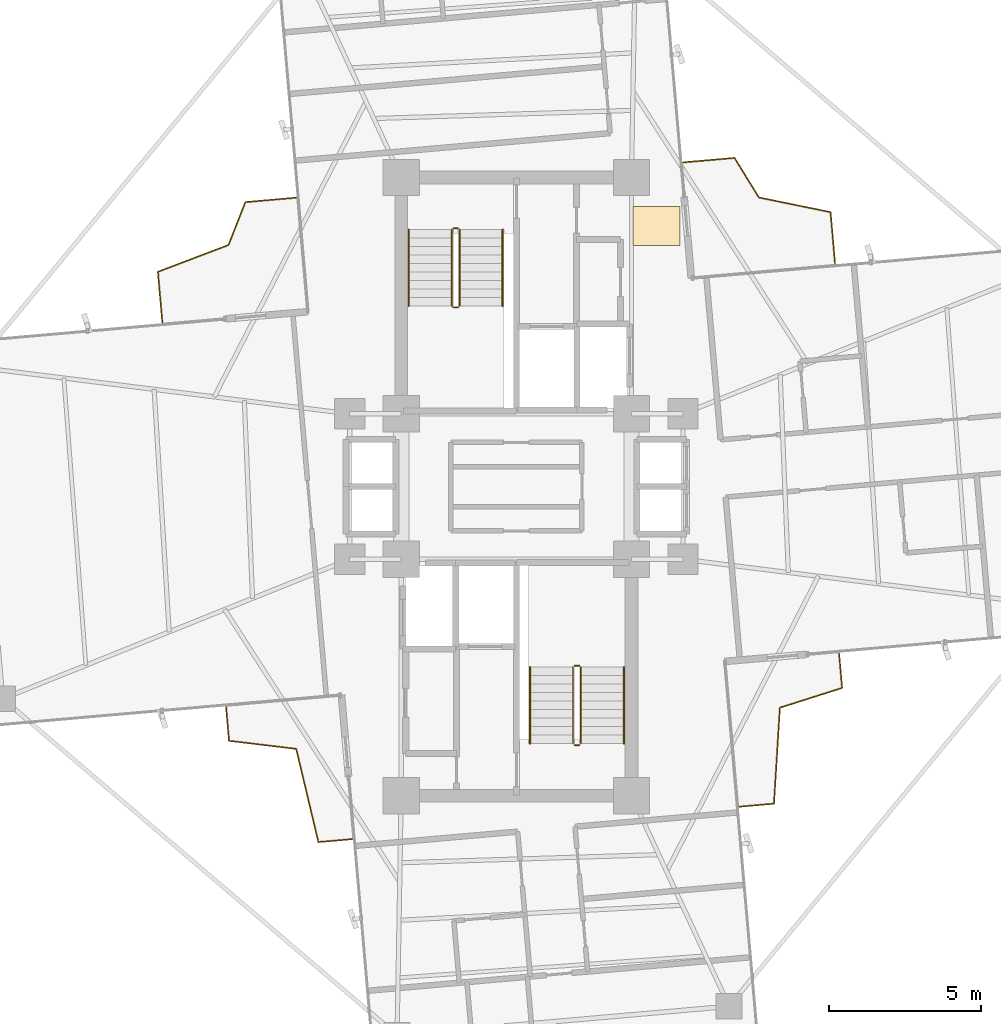
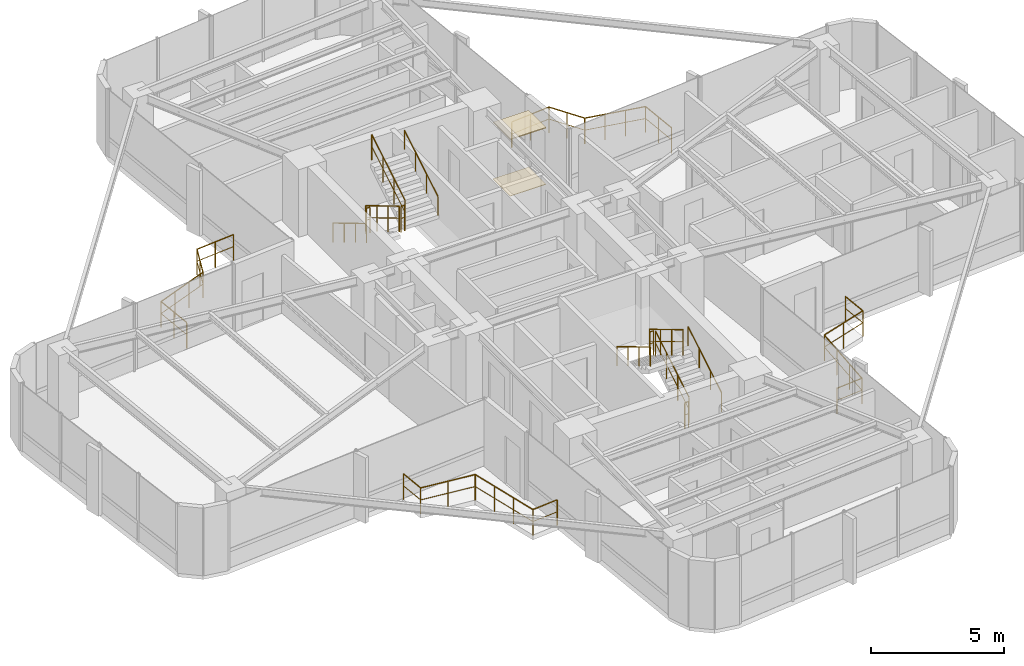
# One storey, part 24 of 24: 16 railings, 2 coverings.
"""IFC4 building model written with IfcOpenShell, lengths in metres."""

import ifcopenshell
import ifcopenshell.guid

model = None  # the IFC model being written
_history = None  # IfcOwnerHistory: only IFC2X3 demands one
_inside = {}  # id of a spatial element -> (the spatial element, [elements in it])
_under = {}  # id of a project, library or spatial element -> (it, [spatial elements below it])
_declared = {}  # id of a project -> (the project, [libraries it declares])
_typed = {}  # id of a type object -> (the type object, [elements of that type])
_made_of = {}  # id of a material, layer set ... -> (it, [elements and type objects made of it])


def new_model(schema):
    """Start an empty IFC model of exactly this schema.

    Asked for "IFC4X3", IfcOpenShell would pick the latest addendum, in which some entities
    have other attributes; the version numbers below select the first issue.
    IFC2X3 requires an IfcOwnerHistory on every rooted entity: one is made here for all.
    """
    global model, _history
    if schema == "IFC4X3":
        model = ifcopenshell.file(schema_version=(4, 3, 0, 0))
    else:
        model = ifcopenshell.file(schema=schema)
    _inside.clear()
    _under.clear()
    _declared.clear()
    _typed.clear()
    _made_of.clear()
    _history = None
    if model.schema == "IFC2X3":
        org = make("IfcOrganization", Name="unknown")
        user = make(
            "IfcPersonAndOrganization",
            ThePerson=make("IfcPerson", FamilyName="unknown"),
            TheOrganization=org,
        )
        app = make(
            "IfcApplication",
            ApplicationDeveloper=org,
            Version="unknown",
            ApplicationFullName="unknown",
            ApplicationIdentifier="unknown",
        )
        _history = make(
            "IfcOwnerHistory",
            OwningUser=user,
            OwningApplication=app,
            ChangeAction="ADDED",
            CreationDate=0,
        )
    return model


def make(cls, **values):
    """One entity of the class cls with the attributes given. An attribute that is None is left unset."""
    return model.create_entity(
        cls, **{name: value for name, value in values.items() if value is not None}
    )


def rooted(cls, **values):
    """An entity with a GlobalId (a new one), such as an element, a storey or a relation."""
    return make(cls, GlobalId=ifcopenshell.guid.new(), OwnerHistory=_history, **values)


def si_unit(unit_type, name, prefix=None):
    """IfcSIUnit, for example si_unit("LENGTHUNIT", "METRE", prefix="MILLI")."""
    return make("IfcSIUnit", UnitType=unit_type, Prefix=prefix, Name=name)


def assignment(units):
    """IfcUnitAssignment: the units of a project."""
    return None if units is None else make("IfcUnitAssignment", Units=units)


def point(xyz):
    """IfcCartesianPoint."""
    return None if xyz is None else make("IfcCartesianPoint", Coordinates=xyz)


def direction(xyz):
    """IfcDirection."""
    return None if xyz is None else make("IfcDirection", DirectionRatios=xyz)


def frame(location, z_axis=None, x_axis=None):
    """IfcAxis2Placement3D, a coordinate frame: its origin and axes. An axis left out is left unset."""
    return make(
        "IfcAxis2Placement3D",
        Location=point(location),
        Axis=direction(z_axis),
        RefDirection=direction(x_axis),
    )


def frame_2d(location, x_axis=None):
    """IfcAxis2Placement2D, a coordinate frame in the plane: its origin and x axis."""
    return make(
        "IfcAxis2Placement2D", Location=point(location), RefDirection=direction(x_axis)
    )


def origin():
    """The frame at (0, 0, 0) with its axes left unset."""
    return frame((0.0, 0.0, 0.0))


def origin_2d():
    """The frame at (0, 0) in the plane with its x axis left unset."""
    return frame_2d((0.0, 0.0))


def place(relative_to, where):
    """IfcLocalPlacement: puts the frame where relative to a parent placement (None: the world)."""
    return make(
        "IfcLocalPlacement", PlacementRelTo=relative_to, RelativePlacement=where
    )


def context(
    kind, dimensions, precision=None, world=None, true_north=None, identifier=None
):
    """IfcGeometricRepresentationContext, for example the 3D "Model" context."""
    return make(
        "IfcGeometricRepresentationContext",
        ContextIdentifier=identifier,
        ContextType=kind,
        CoordinateSpaceDimension=dimensions,
        Precision=precision,
        WorldCoordinateSystem=world,
        TrueNorth=true_north,
    )


def subcontext(parent, identifier, kind, view, scale=None):
    """IfcGeometricRepresentationSubContext, for example "Body" below "Model"."""
    return make(
        "IfcGeometricRepresentationSubContext",
        ContextIdentifier=identifier,
        ContextType=kind,
        ParentContext=parent,
        TargetScale=scale,
        TargetView=view,
    )


def project(units=None, contexts=None):
    """IfcProject with its units and contexts."""
    return rooted(
        "IfcProject",
        Name="project",
        RepresentationContexts=contexts,
        UnitsInContext=assignment(units),
    )


def spatial(cls, under=None, at=None, **own):
    """A site, building, storey or space (cls), placed at a placement, below another one or the project."""
    s = rooted(cls, ObjectPlacement=at, **own)
    if under is not None:
        _under.setdefault(under.id(), (under, []))[1].append(s)
    return s


def polyline(points):
    """IfcPolyline through the points."""
    return make("IfcPolyline", Points=[point(p) for p in points])


def profile(cls, at=None, kind="AREA", **sizes):
    """A parametric profile (cls). Its sizes go by their IFC names, for example OverallWidth=200.0."""
    return make(cls, ProfileType=kind, Position=at, **sizes)


def circle(**sizes):
    """IfcCircleProfileDef."""
    return profile("IfcCircleProfileDef", **sizes)


def outline(outer, holes=None, kind="AREA"):
    """IfcArbitraryClosedProfileDef: a profile drawn as a closed curve; with holes, ...WithVoids."""
    if holes is None:
        return make("IfcArbitraryClosedProfileDef", ProfileType=kind, OuterCurve=outer)
    return make(
        "IfcArbitraryProfileDefWithVoids",
        ProfileType=kind,
        OuterCurve=outer,
        InnerCurves=holes,
    )


def extrude(swept, where, along, depth):
    """IfcExtrudedAreaSolid: the profile swept, set in the frame where, extruded along a direction by depth."""
    return make(
        "IfcExtrudedAreaSolid",
        SweptArea=swept,
        Position=where,
        ExtrudedDirection=direction(along),
        Depth=depth,
    )


def shape(context_of_items, identifier, shape_type, items):
    """IfcShapeRepresentation: the items that make up one representation, for example the "Body"."""
    return make(
        "IfcShapeRepresentation",
        ContextOfItems=context_of_items,
        RepresentationIdentifier=identifier,
        RepresentationType=shape_type,
        Items=items,
    )


def material(Name=None, Category=None):
    """IfcMaterial."""
    return make("IfcMaterial", Name=Name, Category=Category)


def layer(
    of_material, thickness, ventilated=None, Name=None, Category=None, Priority=None
):
    """IfcMaterialLayer: one layer of a wall or slab, of a material (None: an air gap)."""
    return make(
        "IfcMaterialLayer",
        Material=of_material,
        LayerThickness=thickness,
        IsVentilated=ventilated,
        Name=Name,
        Category=Category,
        Priority=Priority,
    )


def layer_set(layers, Name=None):
    """IfcMaterialLayerSet."""
    return make("IfcMaterialLayerSet", MaterialLayers=layers, LayerSetName=Name)


def made_of(thing, what):
    """Note that an element or type object is made of a material, layer set ...; save() writes the relation."""
    if what is not None:
        _made_of.setdefault(what.id(), (what, []))[1].append(thing)
    return thing


def type_object(cls, material=None, **own):
    """A type object (cls), such as IfcWallType, which elements share."""
    return made_of(rooted(cls, **own), material)


def element(
    cls,
    number,
    at=None,
    inside=None,
    cuts=None,
    type_object=None,
    material=None,
    context=None,
    identifier="Body",
    shape_type=None,
    held_by="IfcProductDefinitionShape",
    body=None,
    shapes=None,
    **own,
):
    """One element of the class cls, such as IfcWall. Its Tag is "e" and its number.

    at: its placement. inside: the storey or other place that contains it. cuts: it is an
    opening in that element (IfcRelVoidsElement). A single representation is given by context,
    identifier, shape_type and body (its items); several are given by shapes. held_by: the class
    of the entity that holds the representations. save() writes the other relations.
    """
    e = rooted(cls, Tag="e%d" % number, ObjectPlacement=at, **own)
    if body is not None:
        shapes = [shape(context, identifier, shape_type, body)]
    if shapes is not None:
        e.Representation = make(held_by, Representations=shapes)
    if inside is not None:
        _inside.setdefault(inside.id(), (inside, []))[1].append(e)
    if cuts is not None:
        rooted(
            "IfcRelVoidsElement", RelatingBuildingElement=cuts, RelatedOpeningElement=e
        )
    if type_object is not None:
        _typed.setdefault(type_object.id(), (type_object, []))[1].append(e)
    return made_of(e, material)


def aggregate(whole, parts):
    """IfcRelAggregates: a whole, such as a stair, and the parts it consists of."""
    return rooted("IfcRelAggregates", RelatingObject=whole, RelatedObjects=parts)


def save(model, path):
    """Write the relations noted so far, then the file.

    IfcRelAggregates (storeys below a building ...), IfcRelContainedInSpatialStructure (elements
    in a storey), IfcRelDefinesByType, IfcRelAssociatesMaterial and IfcRelDeclares: one each for
    every whole, place, type object, material and project.
    """
    for whole, parts in _under.values():
        aggregate(whole, parts)
    for where, things in _inside.values():
        rooted(
            "IfcRelContainedInSpatialStructure",
            RelatedElements=things,
            RelatingStructure=where,
        )
    for kind, things in _typed.values():
        rooted("IfcRelDefinesByType", RelatedObjects=things, RelatingType=kind)
    for what, things in _made_of.values():
        rooted("IfcRelAssociatesMaterial", RelatedObjects=things, RelatingMaterial=what)
    for by, libraries in _declared.values():
        rooted("IfcRelDeclares", RelatingContext=by, RelatedDefinitions=libraries)
    model.write(path)


model = new_model("IFC4")

# Units and contexts
model_context = context("Model", 3, precision=1e-05, world=origin(), true_north=direction((0.0, 1.0)))
body_context = subcontext(model_context, "Body", "Model", "MODEL_VIEW")
ifc_project = project(units=[si_unit("LENGTHUNIT", "METRE"), si_unit("AREAUNIT", "SQUARE_METRE"), si_unit("VOLUMEUNIT", "CUBIC_METRE"), si_unit("PLANEANGLEUNIT", "RADIAN"), si_unit("MASSUNIT", "GRAM", prefix="KILO")], contexts=[model_context])

# Site, building, storey
site_placement = place(None, origin())
site = spatial("IfcSite", under=ifc_project, at=site_placement, CompositionType="ELEMENT")
building_placement = place(site_placement, origin())
building = spatial("IfcBuilding", under=site, at=building_placement, Name="Sahyath Konkavel Grand Hotel", CompositionType="ELEMENT")
storey_placement = place(building_placement, frame((0.0, 0.0, 188.60009765625)))
storey = spatial("IfcBuildingStorey", under=building, at=storey_placement, Name="L52", CompositionType="ELEMENT", Elevation=188.60009765625)

# Coverings
ifc_material_1 = material(Name="Perforated Acoustic Gypsum and Teak Baffle Ceiling")
ifc_layer_1 = layer(ifc_material_1, 0.044921875)
ifc_layer_set_1 = layer_set([ifc_layer_1], Name="Perforated Acoustic Gypsum and Teak Baffle Ceiling")
covering_type_1 = type_object("IfcCoveringType", Name="COV-ACOUSTIC-CLG", PredefinedType="CEILING", material=ifc_layer_set_1)
covering_1_placement = place(storey_placement, frame((0.0, 0.0, 2.58984375)))
element("IfcCovering", 1, at=covering_1_placement, inside=storey, type_object=covering_type_1, Name="L52 Core Vestibule Acoustic Ceiling", PredefinedType="CEILING", context=body_context, shape_type="SweptSolid", body=[
    extrude(outline(polyline([(3.85009765625, 7.949951171875), (5.39990234375, 7.949951171875), (5.39990234375, 9.25), (3.85009765625, 9.25), (3.85009765625, 7.949951171875)])), origin(), (0.0, 0.0, 1.0), 0.0400390625),
])
ifc_material_2 = material(Name="Polished Konkan Aggregate Terrazzo Flooring")
ifc_layer_2 = layer(ifc_material_2, 0.02001953125)
ifc_layer_set_2 = layer_set([ifc_layer_2], Name="Polished Konkan Aggregate Terrazzo Flooring")
covering_type_2 = type_object("IfcCoveringType", Name="COV-TERRAZZO", PredefinedType="FLOORING", material=ifc_layer_set_2)
covering_2_placement = place(storey_placement, origin())
element("IfcCovering", 2, at=covering_2_placement, inside=storey, type_object=covering_type_2, Name="L52 Core Vestibule Terrazzo Flooring", PredefinedType="FLOORING", context=body_context, shape_type="SweptSolid", body=[
    extrude(outline(polyline([(3.85009765625, 7.949951171875), (5.39990234375, 7.949951171875), (5.39990234375, 9.25), (3.85009765625, 9.25), (3.85009765625, 7.949951171875)])), origin(), (0.0, 0.0, 1.0), 0.02001953125),
])

# Railings
ifc_material_3 = material(Name="Anodised Bronze Aluminium", Category="aluminium")
railing_type_1 = type_object("IfcRailingType", Name="RLG-BALC-1200", PredefinedType="GUARDRAIL", material=ifc_material_3)
railing_1_placement = place(storey_placement, frame((10.52001953125, 7.35498046875, 0.0)))
element("IfcRailing", 3, at=railing_1_placement, inside=storey, type_object=railing_type_1, Name="L52 Winter-Garden Guard NE", PredefinedType="GUARDRAIL", context=body_context, shape_type="SweptSolid", body=[
    extrude(circle(Radius=0.02392578125, at=origin_2d()), frame((-0.000244140625, 0.001953125, 1.17578125), z_axis=(-0.087147455626, 0.996195423086, 0.0), x_axis=(-0.996195423086, -0.087147455626, 0.0)), (0.0, 0.0, 1.0), 1.704833984375),
    extrude(circle(Radius=0.01416015625, at=origin_2d()), frame((-0.000244140625, 0.001953125, 0.6240234375), z_axis=(-0.087147455626, 0.996195423086, 0.0), x_axis=(-0.996195423086, -0.087147455626, 0.0)), (0.0, 0.0, 1.0), 1.704833984375),
    extrude(circle(Radius=0.02392578125, at=origin_2d()), frame((-0.15087890625, 1.702880859375, 1.17578125), z_axis=(-0.979727565062, 0.200334465977, 0.0), x_axis=(-0.200334465977, -0.979727565062, 0.0)), (0.0, 0.0, 1.0), 2.41015625),
    extrude(circle(Radius=0.01416015625, at=origin_2d()), frame((-0.15087890625, 1.702880859375, 0.6240234375), z_axis=(-0.979727565062, 0.200334465977, 0.0), x_axis=(-0.200334465977, -0.979727565062, 0.0)), (0.0, 0.0, 1.0), 2.41015625),
    extrude(circle(Radius=0.02392578125, at=origin_2d()), frame((-2.51513671875, 2.187744140625, 1.17578125), z_axis=(-0.52442574971, 0.851456183864, 0.0), x_axis=(-0.851456183864, -0.52442574971, 0.0)), (0.0, 0.0, 1.0), 1.53076171875),
    extrude(circle(Radius=0.01416015625, at=origin_2d()), frame((-2.51513671875, 2.187744140625, 0.6240234375), z_axis=(-0.52442574971, 0.851456183864, 0.0), x_axis=(-0.851456183864, -0.52442574971, 0.0)), (0.0, 0.0, 1.0), 1.53076171875),
    extrude(circle(Radius=0.02392578125, at=origin_2d()), frame((-3.321044921875, 3.49267578125, 1.17578125), z_axis=(-0.996196507866, -0.087135054459, 0.0), x_axis=(0.087135054459, -0.996196507866, 0.0)), (0.0, 0.0, 1.0), 1.705078125),
    extrude(circle(Radius=0.01416015625, at=origin_2d()), frame((-3.321044921875, 3.49267578125, 0.6240234375), z_axis=(-0.996196507866, -0.087135054459, 0.0), x_axis=(0.087135054459, -0.996196507866, 0.0)), (0.0, 0.0, 1.0), 1.705078125),
    extrude(circle(Radius=0.02099609375, at=origin_2d()), origin(), (0.0, 0.0, 1.0), 1.15185546875),
    extrude(circle(Radius=0.02099609375, at=origin_2d()), frame((-0.074462890625, 0.85107421875, 0.0)), (0.0, 0.0, 1.0), 1.15185546875),
    extrude(circle(Radius=0.02099609375, at=origin_2d()), frame((-0.14892578125, 1.702392578125, 0.0)), (0.0, 0.0, 1.0), 1.15185546875),
    extrude(circle(Radius=0.02099609375, at=origin_2d()), frame((-0.937255859375, 1.863525390625, 0.0)), (0.0, 0.0, 1.0), 1.15185546875),
    extrude(circle(Radius=0.02099609375, at=origin_2d()), frame((-1.725830078125, 2.02490234375, 0.0)), (0.0, 0.0, 1.0), 1.15185546875),
    extrude(circle(Radius=0.02099609375, at=origin_2d()), frame((-2.51416015625, 2.18603515625, 0.0)), (0.0, 0.0, 1.0), 1.15185546875),
    extrude(circle(Radius=0.02099609375, at=origin_2d()), frame((-2.91650390625, 2.83935546875, 0.0)), (0.0, 0.0, 1.0), 1.15185546875),
    extrude(circle(Radius=0.02099609375, at=origin_2d()), frame((-3.319091796875, 3.492919921875, 0.0)), (0.0, 0.0, 1.0), 1.15185546875),
    extrude(circle(Radius=0.02099609375, at=origin_2d()), frame((-4.17041015625, 3.41845703125, 0.0)), (0.0, 0.0, 1.0), 1.15185546875),
    extrude(circle(Radius=0.02099609375, at=origin_2d()), frame((-5.021728515625, 3.343994140625, 0.0)), (0.0, 0.0, 1.0), 1.15185546875),
])
railing_2_placement = place(storey_placement, frame((-7.268798828125, 9.534912109375, 0.0)))
element("IfcRailing", 4, at=railing_2_placement, inside=storey, type_object=railing_type_1, Name="L52 Winter-Garden Guard NW", PredefinedType="GUARDRAIL", context=body_context, shape_type="SweptSolid", body=[
    extrude(circle(Radius=0.02392578125, at=origin_2d()), frame((-0.001953125, -0.000244140625, 1.17578125), z_axis=(-0.996188674792, -0.087224561997, 0.0), x_axis=(0.087224561997, -0.996188674792, 0.0)), (0.0, 0.0, 1.0), 1.67822265625),
    extrude(circle(Radius=0.01416015625, at=origin_2d()), frame((-0.001953125, -0.000244140625, 0.6240234375), z_axis=(-0.996188674792, -0.087224561997, 0.0), x_axis=(0.087224561997, -0.996188674792, 0.0)), (0.0, 0.0, 1.0), 1.67822265625),
    extrude(circle(Radius=0.02392578125, at=origin_2d()), frame((-1.676513671875, -0.148681640625, 1.17578125), z_axis=(-0.36576657779, -0.930706618958, 0.0), x_axis=(0.930706618958, -0.36576657779, 0.0)), (0.0, 0.0, 1.0), 1.51708984375),
    extrude(circle(Radius=0.01416015625, at=origin_2d()), frame((-1.676513671875, -0.148681640625, 0.6240234375), z_axis=(-0.36576657779, -0.930706618958, 0.0), x_axis=(0.930706618958, -0.36576657779, 0.0)), (0.0, 0.0, 1.0), 1.51708984375),
    extrude(circle(Radius=0.02392578125, at=origin_2d()), frame((-2.234130859375, -1.563232421875, 1.17578125), z_axis=(-0.934957190394, -0.354760556053, 0.0), x_axis=(0.354760556053, -0.934957190394, 0.0)), (0.0, 0.0, 1.0), 2.488037109375),
    extrude(circle(Radius=0.01416015625, at=origin_2d()), frame((-2.234130859375, -1.563232421875, 0.6240234375), z_axis=(-0.934957190394, -0.354760556053, 0.0), x_axis=(0.354760556053, -0.934957190394, 0.0)), (0.0, 0.0, 1.0), 2.488037109375),
    extrude(circle(Radius=0.02392578125, at=origin_2d()), frame((-4.561767578125, -2.448486328125, 1.17578125), z_axis=(0.087199347539, -0.996190882205, 0.0), x_axis=(0.996190882205, 0.087199347539, 0.0)), (0.0, 0.0, 1.0), 1.6787109375),
    extrude(circle(Radius=0.01416015625, at=origin_2d()), frame((-4.561767578125, -2.448486328125, 0.6240234375), z_axis=(0.087199347539, -0.996190882205, 0.0), x_axis=(0.996190882205, 0.087199347539, 0.0)), (0.0, 0.0, 1.0), 1.6787109375),
    extrude(circle(Radius=0.02099609375, at=origin_2d()), origin(), (0.0, 0.0, 1.0), 1.15185546875),
    extrude(circle(Radius=0.02099609375, at=origin_2d()), frame((-0.837890625, -0.0732421875, 0.0)), (0.0, 0.0, 1.0), 1.15185546875),
    extrude(circle(Radius=0.02099609375, at=origin_2d()), frame((-1.67578125, -0.146728515625, 0.0)), (0.0, 0.0, 1.0), 1.15185546875),
    extrude(circle(Radius=0.02099609375, at=origin_2d()), frame((-1.9541015625, -0.8544921875, 0.0)), (0.0, 0.0, 1.0), 1.15185546875),
    extrude(circle(Radius=0.02099609375, at=origin_2d()), frame((-2.232177734375, -1.5625, 0.0)), (0.0, 0.0, 1.0), 1.15185546875),
    extrude(circle(Radius=0.02099609375, at=origin_2d()), frame((-3.0087890625, -1.857177734375, 0.0)), (0.0, 0.0, 1.0), 1.15185546875),
    extrude(circle(Radius=0.02099609375, at=origin_2d()), frame((-3.785400390625, -2.15185546875, 0.0)), (0.0, 0.0, 1.0), 1.15185546875),
    extrude(circle(Radius=0.02099609375, at=origin_2d()), frame((-4.56201171875, -2.446533203125, 0.0)), (0.0, 0.0, 1.0), 1.15185546875),
    extrude(circle(Radius=0.02099609375, at=origin_2d()), frame((-4.48876953125, -3.28466796875, 0.0)), (0.0, 0.0, 1.0), 1.15185546875),
    extrude(circle(Radius=0.02099609375, at=origin_2d()), frame((-4.415283203125, -4.122802734375, 0.0)), (0.0, 0.0, 1.0), 1.15185546875),
])
railing_3_placement = place(storey_placement, frame((-9.58154296875, -7.272705078125, 0.0)))
element("IfcRailing", 5, at=railing_3_placement, inside=storey, type_object=railing_type_1, Name="L52 Winter-Garden Guard SW", PredefinedType="GUARDRAIL", context=body_context, shape_type="SweptSolid", body=[
    extrude(circle(Radius=0.02392578125, at=origin_2d()), frame((0.000244140625, -0.001953125, 1.17578125), z_axis=(0.087164253835, -0.996193953431, 0.0), x_axis=(0.996193953431, 0.087164253835, 0.0)), (0.0, 0.0, 1.0), 1.119140625),
    extrude(circle(Radius=0.01416015625, at=origin_2d()), frame((0.000244140625, -0.001953125, 0.6240234375), z_axis=(0.087164253835, -0.996193953431, 0.0), x_axis=(0.996193953431, 0.087164253835, 0.0)), (0.0, 0.0, 1.0), 1.119140625),
    extrude(circle(Radius=0.02392578125, at=origin_2d()), frame((0.099853515625, -1.119140625, 1.17578125), z_axis=(0.992800095394, -0.119783014592, 0.0), x_axis=(0.119783014592, 0.992800095394, 0.0)), (0.0, 0.0, 1.0), 2.229736328125),
    extrude(circle(Radius=0.01416015625, at=origin_2d()), frame((0.099853515625, -1.119140625, 0.6240234375), z_axis=(0.992800095394, -0.119783014592, 0.0), x_axis=(0.119783014592, 0.992800095394, 0.0)), (0.0, 0.0, 1.0), 2.229736328125),
    extrude(circle(Radius=0.02392578125, at=origin_2d()), frame((2.316162109375, -1.388427734375, 1.17578125), z_axis=(0.231199436169, -0.972906378186, 0.0), x_axis=(0.972906378186, 0.231199436169, 0.0)), (0.0, 0.0, 1.0), 3.157470703125),
    extrude(circle(Radius=0.01416015625, at=origin_2d()), frame((2.316162109375, -1.388427734375, 0.6240234375), z_axis=(0.231199436169, -0.972906378186, 0.0), x_axis=(0.972906378186, 0.231199436169, 0.0)), (0.0, 0.0, 1.0), 3.157470703125),
    extrude(circle(Radius=0.02392578125, at=origin_2d()), frame((3.048583984375, -4.462158203125, 1.17578125), z_axis=(0.996192301424, 0.087183132447, 0.0), x_axis=(-0.087183132447, 0.996192301424, 0.0)), (0.0, 0.0, 1.0), 1.118896484375),
    extrude(circle(Radius=0.01416015625, at=origin_2d()), frame((3.048583984375, -4.462158203125, 0.6240234375), z_axis=(0.996192301424, 0.087183132447, 0.0), x_axis=(-0.087183132447, 0.996192301424, 0.0)), (0.0, 0.0, 1.0), 1.118896484375),
    extrude(circle(Radius=0.02099609375, at=origin_2d()), origin(), (0.0, 0.0, 1.0), 1.15185546875),
    extrude(circle(Radius=0.02099609375, at=origin_2d()), frame((0.097900390625, -1.118896484375, 0.0)), (0.0, 0.0, 1.0), 1.15185546875),
    extrude(circle(Radius=0.02099609375, at=origin_2d()), frame((1.206787109375, -1.252685546875, 0.0)), (0.0, 0.0, 1.0), 1.15185546875),
    extrude(circle(Radius=0.02099609375, at=origin_2d()), frame((2.315673828125, -1.386474609375, 0.0)), (0.0, 0.0, 1.0), 1.15185546875),
    extrude(circle(Radius=0.02099609375, at=origin_2d()), frame((2.559326171875, -2.411865234375, 0.0)), (0.0, 0.0, 1.0), 1.15185546875),
    extrude(circle(Radius=0.02099609375, at=origin_2d()), frame((2.802978515625, -3.43701171875, 0.0)), (0.0, 0.0, 1.0), 1.15185546875),
    extrude(circle(Radius=0.02099609375, at=origin_2d()), frame((3.046630859375, -4.46240234375, 0.0)), (0.0, 0.0, 1.0), 1.15185546875),
    extrude(circle(Radius=0.02099609375, at=origin_2d()), frame((4.165283203125, -4.364501953125, 0.0)), (0.0, 0.0, 1.0), 1.15185546875),
])
railing_4_placement = place(storey_placement, frame((7.35888671875, -10.56689453125, 0.0)))
element("IfcRailing", 6, at=railing_4_placement, inside=storey, type_object=railing_type_1, Name="L52 Winter-Garden Guard SE", PredefinedType="GUARDRAIL", context=body_context, shape_type="SweptSolid", body=[
    extrude(circle(Radius=0.02392578125, at=origin_2d()), frame((0.001953125, 0.000244140625, 1.17578125), z_axis=(0.996183799356, 0.087280226292, 0.0), x_axis=(-0.087280226292, 0.996183799356, 0.0)), (0.0, 0.0, 1.0), 1.145751953125),
    extrude(circle(Radius=0.01416015625, at=origin_2d()), frame((0.001953125, 0.000244140625, 0.6240234375), z_axis=(0.996183799356, 0.087280226292, 0.0), x_axis=(-0.087280226292, 0.996183799356, 0.0)), (0.0, 0.0, 1.0), 1.145751953125),
    extrude(circle(Radius=0.02392578125, at=origin_2d()), frame((1.1455078125, 0.102294921875, 1.17578125), z_axis=(0.061477694849, 0.998108457552, 0.0), x_axis=(-0.998108457552, 0.061477694849, 0.0)), (0.0, 0.0, 1.0), 3.1689453125),
    extrude(circle(Radius=0.01416015625, at=origin_2d()), frame((1.1455078125, 0.102294921875, 0.6240234375), z_axis=(0.061477694849, 0.998108457552, 0.0), x_axis=(-0.998108457552, 0.061477694849, 0.0)), (0.0, 0.0, 1.0), 3.1689453125),
    extrude(circle(Radius=0.02392578125, at=origin_2d()), frame((1.34228515625, 3.267822265625, 1.17578125), z_axis=(0.953108700232, 0.302628163827, 0.0), x_axis=(-0.302628163827, 0.953108700232, 0.0)), (0.0, 0.0, 1.0), 2.14990234375),
    extrude(circle(Radius=0.01416015625, at=origin_2d()), frame((1.34228515625, 3.267822265625, 0.6240234375), z_axis=(0.953108700232, 0.302628163827, 0.0), x_axis=(-0.302628163827, 0.953108700232, 0.0)), (0.0, 0.0, 1.0), 2.14990234375),
    extrude(circle(Radius=0.02392578125, at=origin_2d()), frame((3.39306640625, 3.921142578125, 1.17578125), z_axis=(-0.087069477518, 0.996202241558, 0.0), x_axis=(-0.996202241558, -0.087069477518, 0.0)), (0.0, 0.0, 1.0), 1.1455078125),
    extrude(circle(Radius=0.01416015625, at=origin_2d()), frame((3.39306640625, 3.921142578125, 0.6240234375), z_axis=(-0.087069477518, 0.996202241558, 0.0), x_axis=(-0.996202241558, -0.087069477518, 0.0)), (0.0, 0.0, 1.0), 1.1455078125),
    extrude(circle(Radius=0.02099609375, at=origin_2d()), origin(), (0.0, 0.0, 1.0), 1.15185546875),
    extrude(circle(Radius=0.02099609375, at=origin_2d()), frame((1.145263671875, 0.100341796875, 0.0)), (0.0, 0.0, 1.0), 1.15185546875),
    extrude(circle(Radius=0.02099609375, at=origin_2d()), frame((1.210205078125, 1.156005859375, 0.0)), (0.0, 0.0, 1.0), 1.15185546875),
    extrude(circle(Radius=0.02099609375, at=origin_2d()), frame((1.275390625, 2.211669921875, 0.0)), (0.0, 0.0, 1.0), 1.15185546875),
    extrude(circle(Radius=0.02099609375, at=origin_2d()), frame((1.34033203125, 3.267333984375, 0.0)), (0.0, 0.0, 1.0), 1.15185546875),
    extrude(circle(Radius=0.02099609375, at=origin_2d()), frame((2.36669921875, 3.59326171875, 0.0)), (0.0, 0.0, 1.0), 1.15185546875),
    extrude(circle(Radius=0.02099609375, at=origin_2d()), frame((3.393310546875, 3.919189453125, 0.0)), (0.0, 0.0, 1.0), 1.15185546875),
    extrude(circle(Radius=0.02099609375, at=origin_2d()), frame((3.293212890625, 5.064453125, 0.0)), (0.0, 0.0, 1.0), 1.15185546875),
])
ifc_material_4 = material(Name="Steel E350", Category="steel")
railing_type_2 = type_object("IfcRailingType", Name="RLG-STAIR-GRD", PredefinedType="GUARDRAIL", material=ifc_material_4)
railing_5_placement = place(storey_placement, frame((-2.1298828125, 8.47998046875, 0.16748046875)))
element("IfcRailing", 7, at=railing_5_placement, inside=storey, type_object=railing_type_2, Name="L52 ST-1 stair guard 1", PredefinedType="GUARDRAIL", context=body_context, shape_type="SweptSolid", body=[
    extrude(circle(Radius=0.02392578125, at=origin_2d()), frame((0.0, -0.001708984375, 1.177001953125), z_axis=(0.0, -0.858196387827, 0.513321497621), x_axis=(1.0, 0.0, 0.0)), (0.0, 0.0, 1.0), 2.932373046875),
    extrude(circle(Radius=0.01416015625, at=origin_2d()), frame((0.0, -0.001708984375, 0.625), z_axis=(0.0, -0.858196387827, 0.513321497621), x_axis=(1.0, 0.0, 0.0)), (0.0, 0.0, 1.0), 2.932373046875),
    extrude(circle(Radius=0.02099609375, at=origin_2d()), origin(), (0.0, 0.0, 1.0), 1.15185546875),
    extrude(circle(Radius=0.02099609375, at=origin_2d()), frame((0.0, -0.840087890625, 0.50244140625)), (0.0, 0.0, 1.0), 1.15185546875),
    extrude(circle(Radius=0.02099609375, at=origin_2d()), frame((0.0, -1.679931640625, 1.0048828125)), (0.0, 0.0, 1.0), 1.15185546875),
    extrude(circle(Radius=0.02099609375, at=origin_2d()), frame((0.0, -2.52001953125, 1.50732421875)), (0.0, 0.0, 1.0), 1.15185546875),
])
railing_6_placement = place(storey_placement, frame((-2.080078125, 5.909912109375, 1.6748046875)))
element("IfcRailing", 8, at=railing_6_placement, inside=storey, type_object=railing_type_2, Name="L52 ST-1 stair guard 2", PredefinedType="GUARDRAIL", context=body_context, shape_type="SweptSolid", body=[
    extrude(circle(Radius=0.02392578125, at=origin_2d()), frame((0.001953125, 0.0, 1.17578125), z_axis=(1.0, 0.0, 0.0), x_axis=(0.0, 1.0, 0.0)), (0.0, 0.0, 1.0), 0.15625),
    extrude(circle(Radius=0.01416015625, at=origin_2d()), frame((0.001953125, 0.0, 0.6240234375), z_axis=(1.0, 0.0, 0.0), x_axis=(0.0, 1.0, 0.0)), (0.0, 0.0, 1.0), 0.15625),
    extrude(circle(Radius=0.02099609375, at=origin_2d()), origin(), (0.0, 0.0, 1.0), 1.15185546875),
    extrude(circle(Radius=0.02099609375, at=origin_2d()), frame((0.16015625, 0.0, 0.0)), (0.0, 0.0, 1.0), 1.15185546875),
])
railing_7_placement = place(storey_placement, frame((-1.8701171875, 5.9599609375, 1.84228515625)))
element("IfcRailing", 9, at=railing_7_placement, inside=storey, type_object=railing_type_2, Name="L52 ST-1 stair guard 3", PredefinedType="GUARDRAIL", context=body_context, shape_type="SweptSolid", body=[
    extrude(circle(Radius=0.02392578125, at=origin_2d()), frame((0.0, 0.001708984375, 1.177001953125), z_axis=(0.0, 0.858159760407, 0.513382728203), x_axis=(-1.0, 0.0, 0.0)), (0.0, 0.0, 1.0), 2.9326171875),
    extrude(circle(Radius=0.01416015625, at=origin_2d()), frame((0.0, 0.001708984375, 0.625), z_axis=(0.0, 0.858159760407, 0.513382728203), x_axis=(-1.0, 0.0, 0.0)), (0.0, 0.0, 1.0), 2.9326171875),
    extrude(circle(Radius=0.02099609375, at=origin_2d()), origin(), (0.0, 0.0, 1.0), 1.15185546875),
    extrude(circle(Radius=0.02099609375, at=origin_2d()), frame((0.0, 0.840087890625, 0.50244140625)), (0.0, 0.0, 1.0), 1.15185546875),
    extrude(circle(Radius=0.02099609375, at=origin_2d()), frame((0.0, 1.679931640625, 1.005126953125)), (0.0, 0.0, 1.0), 1.15185546875),
    extrude(circle(Radius=0.02099609375, at=origin_2d()), frame((0.0, 2.52001953125, 1.507568359375)), (0.0, 0.0, 1.0), 1.15185546875),
])
railing_8_placement = place(storey_placement, frame((-2.080078125, 8.530029296875, 0.0)))
element("IfcRailing", 10, at=railing_8_placement, inside=storey, type_object=railing_type_2, Name="L52 ST-1 stair guard 4", PredefinedType="GUARDRAIL", context=body_context, shape_type="SweptSolid", body=[
    extrude(circle(Radius=0.02392578125, at=origin_2d()), frame((0.001953125, 0.0, 1.17578125), z_axis=(1.0, 0.0, 0.0), x_axis=(0.0, 1.0, 0.0)), (0.0, 0.0, 1.0), 0.15625),
    extrude(circle(Radius=0.01416015625, at=origin_2d()), frame((0.001953125, 0.0, 0.6240234375), z_axis=(1.0, 0.0, 0.0), x_axis=(0.0, 1.0, 0.0)), (0.0, 0.0, 1.0), 0.15625),
    extrude(circle(Radius=0.02099609375, at=origin_2d()), origin(), (0.0, 0.0, 1.0), 1.15185546875),
    extrude(circle(Radius=0.02099609375, at=origin_2d()), frame((0.16015625, 0.0, 0.0)), (0.0, 0.0, 1.0), 1.15185546875),
])
railing_9_placement = place(storey_placement, frame((2.1298828125, -8.47998046875, 0.16748046875)))
element("IfcRailing", 11, at=railing_9_placement, inside=storey, type_object=railing_type_2, Name="L52 ST-2 stair guard 1", PredefinedType="GUARDRAIL", context=body_context, shape_type="SweptSolid", body=[
    extrude(circle(Radius=0.02392578125, at=origin_2d()), frame((0.0, 0.001708984375, 1.177001953125), z_axis=(0.0, 0.858196387827, 0.513321497621), x_axis=(-1.0, 0.0, 0.0)), (0.0, 0.0, 1.0), 2.932373046875),
    extrude(circle(Radius=0.01416015625, at=origin_2d()), frame((0.0, 0.001708984375, 0.625), z_axis=(0.0, 0.858196387827, 0.513321497621), x_axis=(-1.0, 0.0, 0.0)), (0.0, 0.0, 1.0), 2.932373046875),
    extrude(circle(Radius=0.02099609375, at=origin_2d()), origin(), (0.0, 0.0, 1.0), 1.15185546875),
    extrude(circle(Radius=0.02099609375, at=origin_2d()), frame((0.0, 0.840087890625, 0.50244140625)), (0.0, 0.0, 1.0), 1.15185546875),
    extrude(circle(Radius=0.02099609375, at=origin_2d()), frame((0.0, 1.679931640625, 1.0048828125)), (0.0, 0.0, 1.0), 1.15185546875),
    extrude(circle(Radius=0.02099609375, at=origin_2d()), frame((0.0, 2.52001953125, 1.50732421875)), (0.0, 0.0, 1.0), 1.15185546875),
])
railing_10_placement = place(storey_placement, frame((2.080078125, -5.909912109375, 1.6748046875)))
element("IfcRailing", 12, at=railing_10_placement, inside=storey, type_object=railing_type_2, Name="L52 ST-2 stair guard 2", PredefinedType="GUARDRAIL", context=body_context, shape_type="SweptSolid", body=[
    extrude(circle(Radius=0.02392578125, at=origin_2d()), frame((-0.001953125, 0.0, 1.17578125), z_axis=(-1.0, 0.0, 0.0), x_axis=(0.0, -1.0, 0.0)), (0.0, 0.0, 1.0), 0.15625),
    extrude(circle(Radius=0.01416015625, at=origin_2d()), frame((-0.001953125, 0.0, 0.6240234375), z_axis=(-1.0, 0.0, 0.0), x_axis=(0.0, -1.0, 0.0)), (0.0, 0.0, 1.0), 0.15625),
    extrude(circle(Radius=0.02099609375, at=origin_2d()), origin(), (0.0, 0.0, 1.0), 1.15185546875),
    extrude(circle(Radius=0.02099609375, at=origin_2d()), frame((-0.16015625, 0.0, 0.0)), (0.0, 0.0, 1.0), 1.15185546875),
])
railing_11_placement = place(storey_placement, frame((1.8701171875, -5.9599609375, 1.84228515625)))
element("IfcRailing", 13, at=railing_11_placement, inside=storey, type_object=railing_type_2, Name="L52 ST-2 stair guard 3", PredefinedType="GUARDRAIL", context=body_context, shape_type="SweptSolid", body=[
    extrude(circle(Radius=0.02392578125, at=origin_2d()), frame((0.0, -0.001708984375, 1.177001953125), z_axis=(0.0, -0.858159760407, 0.513382728203), x_axis=(1.0, 0.0, 0.0)), (0.0, 0.0, 1.0), 2.9326171875),
    extrude(circle(Radius=0.01416015625, at=origin_2d()), frame((0.0, -0.001708984375, 0.625), z_axis=(0.0, -0.858159760407, 0.513382728203), x_axis=(1.0, 0.0, 0.0)), (0.0, 0.0, 1.0), 2.9326171875),
    extrude(circle(Radius=0.02099609375, at=origin_2d()), origin(), (0.0, 0.0, 1.0), 1.15185546875),
    extrude(circle(Radius=0.02099609375, at=origin_2d()), frame((0.0, -0.840087890625, 0.50244140625)), (0.0, 0.0, 1.0), 1.15185546875),
    extrude(circle(Radius=0.02099609375, at=origin_2d()), frame((0.0, -1.679931640625, 1.005126953125)), (0.0, 0.0, 1.0), 1.15185546875),
    extrude(circle(Radius=0.02099609375, at=origin_2d()), frame((0.0, -2.52001953125, 1.507568359375)), (0.0, 0.0, 1.0), 1.15185546875),
])
railing_12_placement = place(storey_placement, frame((2.080078125, -8.530029296875, 0.0)))
element("IfcRailing", 14, at=railing_12_placement, inside=storey, type_object=railing_type_2, Name="L52 ST-2 stair guard 4", PredefinedType="GUARDRAIL", context=body_context, shape_type="SweptSolid", body=[
    extrude(circle(Radius=0.02392578125, at=origin_2d()), frame((-0.001953125, 0.0, 1.17578125), z_axis=(-1.0, 0.0, 0.0), x_axis=(0.0, -1.0, 0.0)), (0.0, 0.0, 1.0), 0.15625),
    extrude(circle(Radius=0.01416015625, at=origin_2d()), frame((-0.001953125, 0.0, 0.6240234375), z_axis=(-1.0, 0.0, 0.0), x_axis=(0.0, -1.0, 0.0)), (0.0, 0.0, 1.0), 0.15625),
    extrude(circle(Radius=0.02099609375, at=origin_2d()), origin(), (0.0, 0.0, 1.0), 1.15185546875),
    extrude(circle(Radius=0.02099609375, at=origin_2d()), frame((-0.16015625, 0.0, 0.0)), (0.0, 0.0, 1.0), 1.15185546875),
])
railing_type_3 = type_object("IfcRailingType", Name="RLG-STAIR-HND", PredefinedType="HANDRAIL", material=ifc_material_3)
railing_13_placement = place(storey_placement, frame((-3.550048828125, 8.47998046875, 0.16748046875)))
element("IfcRailing", 15, at=railing_13_placement, inside=storey, type_object=railing_type_3, Name="L52 ST-1 stair handrail 1", PredefinedType="HANDRAIL", context=body_context, shape_type="SweptSolid", body=[
    extrude(circle(Radius=0.02392578125, at=origin_2d()), frame((0.0, -0.001708984375, 0.876953125), z_axis=(0.0, -0.858196387827, 0.513321497621), x_axis=(1.0, 0.0, 0.0)), (0.0, 0.0, 1.0), 2.932373046875),
    extrude(circle(Radius=0.02099609375, at=origin_2d()), origin(), (0.0, 0.0, 1.0), 0.851806640625),
    extrude(circle(Radius=0.02099609375, at=origin_2d()), frame((0.0, -0.840087890625, 0.50244140625)), (0.0, 0.0, 1.0), 0.851806640625),
    extrude(circle(Radius=0.02099609375, at=origin_2d()), frame((0.0, -1.679931640625, 1.0048828125)), (0.0, 0.0, 1.0), 0.851806640625),
    extrude(circle(Radius=0.02099609375, at=origin_2d()), frame((0.0, -2.52001953125, 1.50732421875)), (0.0, 0.0, 1.0), 0.851806640625),
])
railing_14_placement = place(storey_placement, frame((-0.449951171875, 5.9599609375, 1.84228515625)))
element("IfcRailing", 16, at=railing_14_placement, inside=storey, type_object=railing_type_3, Name="L52 ST-1 stair handrail 2", PredefinedType="HANDRAIL", context=body_context, shape_type="SweptSolid", body=[
    extrude(circle(Radius=0.02392578125, at=origin_2d()), frame((0.0, 0.001708984375, 0.876953125), z_axis=(0.0, 0.858159760407, 0.513382728203), x_axis=(-1.0, 0.0, 0.0)), (0.0, 0.0, 1.0), 2.9326171875),
    extrude(circle(Radius=0.02099609375, at=origin_2d()), origin(), (0.0, 0.0, 1.0), 0.851806640625),
    extrude(circle(Radius=0.02099609375, at=origin_2d()), frame((0.0, 0.840087890625, 0.50244140625)), (0.0, 0.0, 1.0), 0.851806640625),
    extrude(circle(Radius=0.02099609375, at=origin_2d()), frame((0.0, 1.679931640625, 1.005126953125)), (0.0, 0.0, 1.0), 0.851806640625),
    extrude(circle(Radius=0.02099609375, at=origin_2d()), frame((0.0, 2.52001953125, 1.507568359375)), (0.0, 0.0, 1.0), 0.851806640625),
])
railing_15_placement = place(storey_placement, frame((3.550048828125, -8.47998046875, 0.16748046875)))
element("IfcRailing", 17, at=railing_15_placement, inside=storey, type_object=railing_type_3, Name="L52 ST-2 stair handrail 1", PredefinedType="HANDRAIL", context=body_context, shape_type="SweptSolid", body=[
    extrude(circle(Radius=0.02392578125, at=origin_2d()), frame((0.0, 0.001708984375, 0.876953125), z_axis=(0.0, 0.858196387827, 0.513321497621), x_axis=(-1.0, 0.0, 0.0)), (0.0, 0.0, 1.0), 2.932373046875),
    extrude(circle(Radius=0.02099609375, at=origin_2d()), origin(), (0.0, 0.0, 1.0), 0.851806640625),
    extrude(circle(Radius=0.02099609375, at=origin_2d()), frame((0.0, 0.840087890625, 0.50244140625)), (0.0, 0.0, 1.0), 0.851806640625),
    extrude(circle(Radius=0.02099609375, at=origin_2d()), frame((0.0, 1.679931640625, 1.0048828125)), (0.0, 0.0, 1.0), 0.851806640625),
    extrude(circle(Radius=0.02099609375, at=origin_2d()), frame((0.0, 2.52001953125, 1.50732421875)), (0.0, 0.0, 1.0), 0.851806640625),
])
railing_16_placement = place(storey_placement, frame((0.449951171875, -5.9599609375, 1.84228515625)))
element("IfcRailing", 18, at=railing_16_placement, inside=storey, type_object=railing_type_3, Name="L52 ST-2 stair handrail 2", PredefinedType="HANDRAIL", context=body_context, shape_type="SweptSolid", body=[
    extrude(circle(Radius=0.02392578125, at=origin_2d()), frame((0.0, -0.001708984375, 0.876953125), z_axis=(0.0, -0.858159760407, 0.513382728203), x_axis=(1.0, 0.0, 0.0)), (0.0, 0.0, 1.0), 2.9326171875),
    extrude(circle(Radius=0.02099609375, at=origin_2d()), origin(), (0.0, 0.0, 1.0), 0.851806640625),
    extrude(circle(Radius=0.02099609375, at=origin_2d()), frame((0.0, -0.840087890625, 0.50244140625)), (0.0, 0.0, 1.0), 0.851806640625),
    extrude(circle(Radius=0.02099609375, at=origin_2d()), frame((0.0, -1.679931640625, 1.005126953125)), (0.0, 0.0, 1.0), 0.851806640625),
    extrude(circle(Radius=0.02099609375, at=origin_2d()), frame((0.0, -2.52001953125, 1.507568359375)), (0.0, 0.0, 1.0), 0.851806640625),
])

save(model, "model.ifc")
